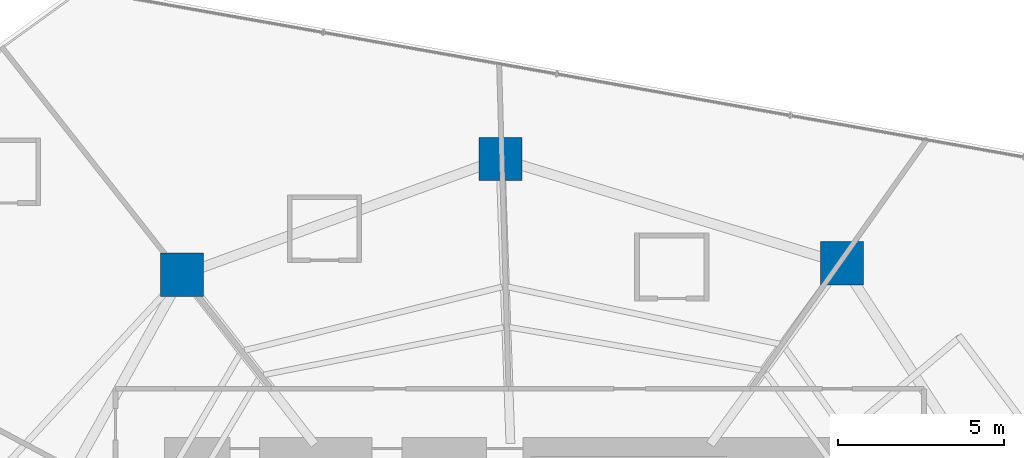
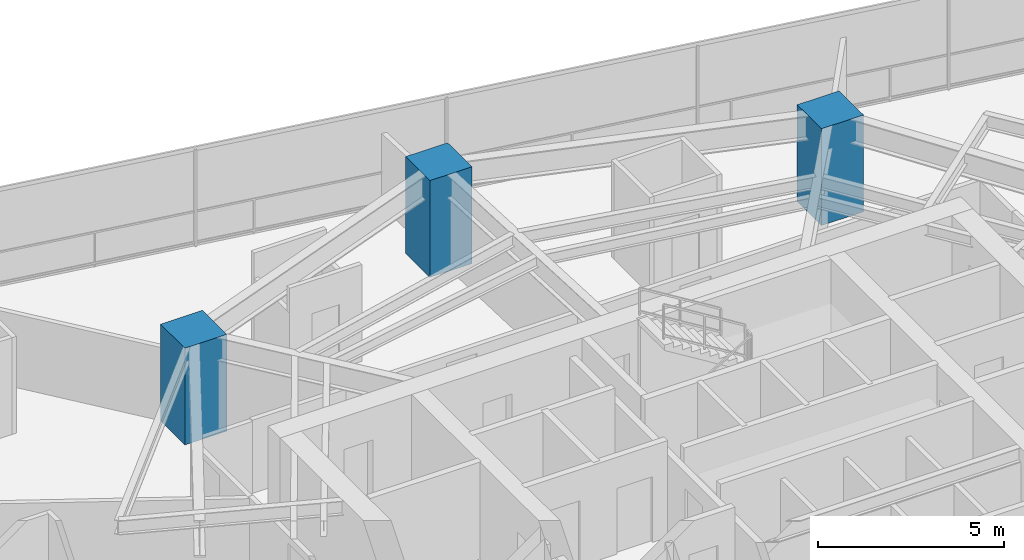
# One storey, part 2 of 33: 3 columns.
"""IFC4 building model written with IfcOpenShell, lengths in metres."""

from ifc_helpers import new_model, si_unit, direction, frame, origin, origin_2d, place, context, subcontext, project, spatial, rectangle, extrude, material, material_profile, profile_set, type_object, element, save


model = new_model("IFC4")

# Units and contexts
model_context = context("Model", 3, precision=1e-05, world=origin(), true_north=direction((0.0, 1.0)))
body_context = subcontext(model_context, "Body", "Model", "MODEL_VIEW")
ifc_project = project(units=[si_unit("LENGTHUNIT", "METRE"), si_unit("AREAUNIT", "SQUARE_METRE"), si_unit("VOLUMEUNIT", "CUBIC_METRE"), si_unit("PLANEANGLEUNIT", "RADIAN"), si_unit("MASSUNIT", "GRAM", prefix="KILO")], contexts=[model_context])

# Site, building, storey
site_placement = place(None, origin())
site = spatial("IfcSite", under=ifc_project, at=site_placement, CompositionType="ELEMENT")
building_placement = place(site_placement, origin())
building = spatial("IfcBuilding", under=site, at=building_placement, Name="Qarnah Convention Tower", CompositionType="ELEMENT")
storey_placement = place(building_placement, frame((0.0, 0.0, 30.449951171875)))
storey = spatial("IfcBuildingStorey", under=building, at=storey_placement, Name="L06", CompositionType="ELEMENT", Elevation=30.449951171875)

# Columns
ifc_material = material(Name="Concrete C60/75", Category="concrete")
ifc_material_profile = material_profile(ifc_material, rectangle(XDim=1.300048828125, YDim=1.300048828125, at=origin_2d()), Name="RC-COL-1300X1300")
ifc_profile_set = profile_set([ifc_material_profile], Name="Concrete C60/75")
column_type = type_object("IfcColumnType", Name="COL-Z1-1300", PredefinedType="COLUMN", material=ifc_profile_set)
for number, where, z_axis, x_axis, name in (
    (1, (46.927978515625, 39.7890625, 0.0), (0.0, 0.0, 1.0), (1.0, 0.0, 0.0), "L06 plumb column PC-Z1-02"),
    (2, (36.6220703125, 42.93994140625, 0.0), (0.0, 0.0, 1.0), (1.0, 0.0, 0.0), "L06 plumb column PC-Z1-03"),
    (3, (27.010986328125, 39.44189453125, 0.0), (0.0, 0.0, 1.0), (1.0, 0.0, 0.0), "L06 plumb column PC-Z1-04"),
):
    element("IfcColumn", number, at=place(storey_placement, frame(where, z_axis=z_axis, x_axis=x_axis)), inside=storey, type_object=column_type, Name=name, PredefinedType="COLUMN", context=body_context, shape_type="SweptSolid", body=[
        extrude(rectangle(XDim=1.300048828125, YDim=1.300048828125, at=origin_2d()), origin(), (0.0, 0.0, 1.0), 3.170166015625),
    ])

save(model, "model.ifc")
